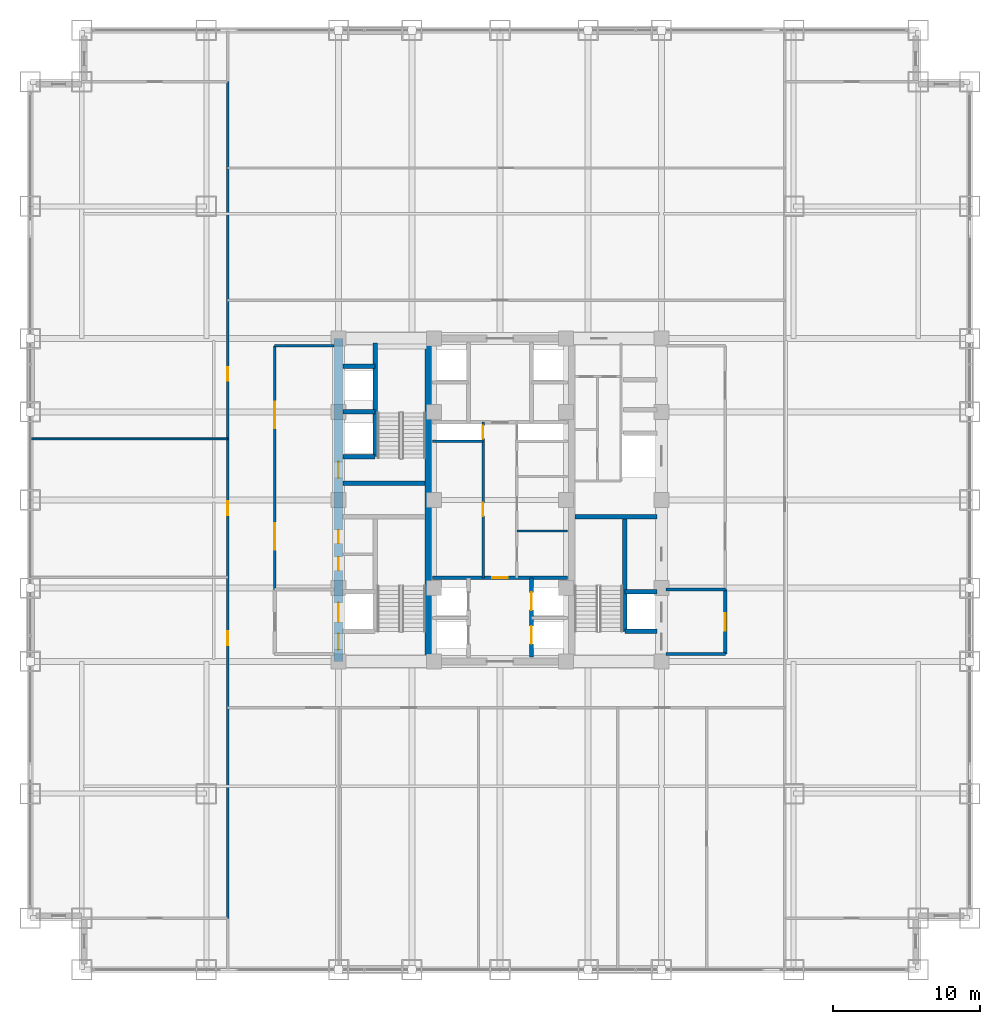
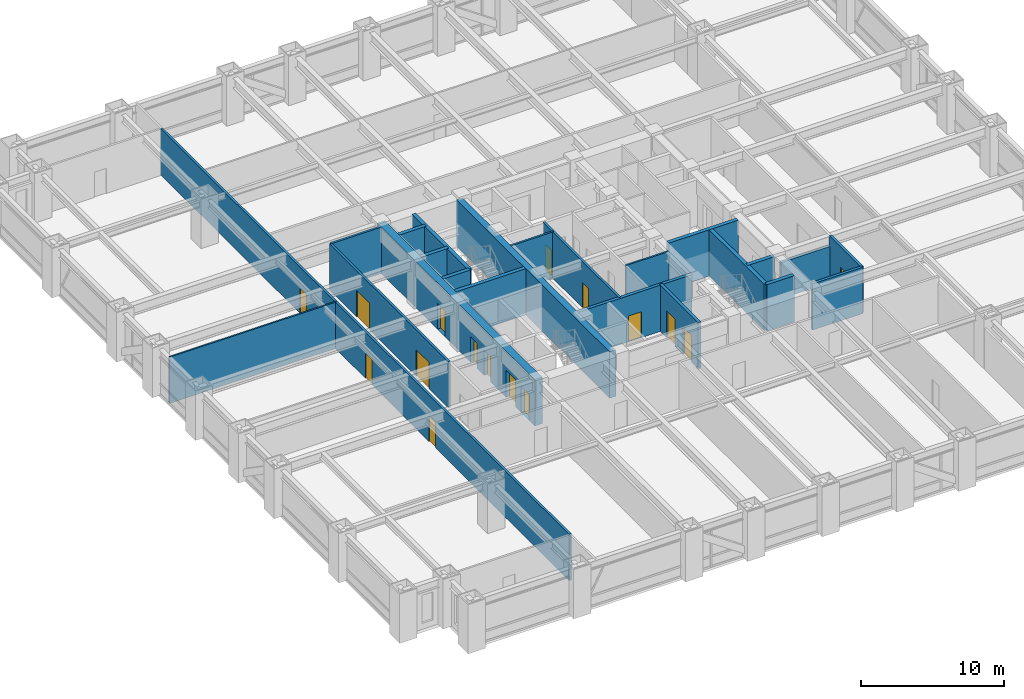
# One storey, part 24 of 27: 23 walls, 16 doors, 16 openings.
"""IFC4 building model written with IfcOpenShell, lengths in metres."""

from ifc_helpers import new_model, si_unit, direction, frame, frame_2d, origin, place, context, subcontext, project, spatial, rectangle, extrude, source, transform, mapped, material, layer, layer_set, type_object, element, fill, save


model = new_model("IFC4")

# Units and contexts
model_context = context("Model", 3, precision=1e-05, world=origin(), true_north=direction((0.0, 1.0)))
body_context = subcontext(model_context, "Body", "Model", "MODEL_VIEW")
ifc_project = project(units=[si_unit("LENGTHUNIT", "METRE"), si_unit("AREAUNIT", "SQUARE_METRE"), si_unit("VOLUMEUNIT", "CUBIC_METRE"), si_unit("PLANEANGLEUNIT", "RADIAN"), si_unit("MASSUNIT", "GRAM", prefix="KILO")], contexts=[model_context])

# Site, building, storey
site_placement = place(None, origin())
site = spatial("IfcSite", under=ifc_project, at=site_placement, CompositionType="ELEMENT")
building_placement = place(site_placement, origin())
building = spatial("IfcBuilding", under=site, at=building_placement, Name="Khorayat Bourse Tower", CompositionType="ELEMENT")
storey_placement = place(building_placement, frame((0.0, 0.0, 53.60009765625)))
storey = spatial("IfcBuildingStorey", under=building, at=storey_placement, Name="L11", CompositionType="ELEMENT", Elevation=53.60009765625)

# Wall, openings, doors
ifc_material_1 = material(Name="Concrete C60/75", Category="concrete")
ifc_layer_1 = layer(ifc_material_1, 0.60009765625)
ifc_layer_set_1 = layer_set([ifc_layer_1], Name="Concrete C60/75")
wall_type_1 = type_object("IfcWallType", Name="WAL-CORE-600", PredefinedType="SHEAR", material=ifc_layer_set_1)
shared_shape_1 = source(origin(), body_context, "Body", "SweptSolid", [
    extrude(rectangle(XDim=22.0, YDim=0.60009765625, at=frame_2d((11.0, 0.0))), origin(), (0.0, 0.0, 1.0), 3.93994140625),
])
wall_1_placement = place(storey_placement, frame((-11.0, -11.0, 0.0), z_axis=(0.0, 0.0, 1.0), x_axis=(0.0, 1.0, 0.0)))
wall_1 = element("IfcWall", 1, at=wall_1_placement, inside=storey, type_object=wall_type_1, Name="L11 Core Shear Wall CORE-W", PredefinedType="SHEAR", context=body_context, shape_type="MappedRepresentation", body=[
    mapped(shared_shape_1, transform((0.0, 0.0, 0.0), scale=1.0)),
])
shared_shape_2 = source(origin(), body_context, "Body", "SweptSolid", [
    extrude(rectangle(XDim=1.10009765625, YDim=2.199951171875, at=frame_2d((0.550048828125, 1.10009765625))), frame((0.0, 0.31005859375, 0.0), z_axis=(0.0, -1.0, 0.0), x_axis=(1.0, 0.0, 0.0)), (0.0, 0.0, 1.0), 0.6201171875),
])
opening_1_placement = place(wall_1_placement, frame((0.800048828125, 0.0, 0.0)))
opening_1 = element("IfcOpeningElement", 2, at=opening_1_placement, cuts=wall_1, Name="Opening DI-01", PredefinedType="OPENING", context=body_context, shape_type="MappedRepresentation", body=[
    mapped(shared_shape_2, transform((0.0, 0.0, 0.0), scale=1.0)),
])
opening_2_placement = place(wall_1_placement, frame((12.5, 0.0, 0.0)))
opening_2 = element("IfcOpeningElement", 3, at=opening_2_placement, cuts=wall_1, Name="Opening DI-01", PredefinedType="OPENING", context=body_context, shape_type="MappedRepresentation", body=[
    mapped(shared_shape_2, transform((0.0, 0.0, 0.0), scale=1.0)),
])
shared_shape_3 = source(origin(), body_context, "Body", "SweptSolid", [
    extrude(rectangle(XDim=0.89990234375, YDim=2.14990234375, at=frame_2d((0.449951171875, 1.074951171875))), frame((0.0, 0.31005859375, 0.0), z_axis=(0.0, -1.0, 0.0), x_axis=(1.0, 0.0, 0.0)), (0.0, 0.0, 1.0), 0.6201171875),
])
opening_3_placement = place(wall_1_placement, frame((6.199951171875, 0.0, 0.0)))
opening_3 = element("IfcOpeningElement", 4, at=opening_3_placement, cuts=wall_1, Name="Opening DI-06", PredefinedType="OPENING", context=body_context, shape_type="MappedRepresentation", body=[
    mapped(shared_shape_3, transform((0.0, 0.0, 0.0), scale=1.0)),
])
opening_4_placement = place(wall_1_placement, frame((8.050048828125, 0.0, 0.0)))
opening_4 = element("IfcOpeningElement", 5, at=opening_4_placement, cuts=wall_1, Name="Opening DI-06", PredefinedType="OPENING", context=body_context, shape_type="MappedRepresentation", body=[
    mapped(shared_shape_3, transform((0.0, 0.0, 0.0), scale=1.0)),
])
shared_shape_4 = source(origin(), body_context, "Body", "SweptSolid", [
    extrude(rectangle(XDim=1.300048828125, YDim=2.300048828125, at=frame_2d((0.64990234375, 1.14990234375))), frame((0.0, 0.31005859375, 0.0), z_axis=(0.0, -1.0, 0.0), x_axis=(1.0, 0.0, 0.0)), (0.0, 0.0, 1.0), 0.6201171875),
])
opening_5_placement = place(wall_1_placement, frame((2.699951171875, 0.0, 0.0)))
opening_5 = element("IfcOpeningElement", 6, at=opening_5_placement, cuts=wall_1, Name="Opening LD-02", PredefinedType="OPENING", context=body_context, shape_type="MappedRepresentation", body=[
    mapped(shared_shape_4, transform((0.0, 0.0, 0.0), scale=1.0)),
])
ifc_material_2 = material(Name="Fire-rated steel acoustic leaf", Category="steel")
door_type_1 = type_object("IfcDoorType", Name="DR-INT-STAIR-1100", OperationType="NOTDEFINED", PredefinedType="DOOR", material=ifc_material_2)
shared_shape_5 = source(origin(), body_context, "Body", "SweptSolid", [
    extrude(rectangle(XDim=1.10009765625, YDim=2.199951171875, at=frame_2d((0.550048828125, 1.10009765625))), frame((0.0, 0.02490234375, 0.0), z_axis=(0.0, -1.0, 0.0), x_axis=(1.0, 0.0, 0.0)), (0.0, 0.0, 1.0), 0.050048828125),
])
door_1_placement = place(opening_1_placement, origin())
door_1 = element("IfcDoor", 7, at=door_1_placement, inside=storey, type_object=door_type_1, Name="L11 Exit Stair 1 Door", OperationType="SINGLE_SWING_RIGHT", OverallHeight=2.199951171875, OverallWidth=1.10009765625, PredefinedType="DOOR", context=body_context, shape_type="MappedRepresentation", body=[
    mapped(shared_shape_5, transform((0.0, 0.0, 0.0), scale=1.0)),
])
fill(opening_1, door_1)
door_2_placement = place(opening_2_placement, origin())
door_2 = element("IfcDoor", 8, at=door_2_placement, inside=storey, type_object=door_type_1, Name="L11 Exit Stair 2 Door", OperationType="SINGLE_SWING_RIGHT", OverallHeight=2.199951171875, OverallWidth=1.10009765625, PredefinedType="DOOR", context=body_context, shape_type="MappedRepresentation", body=[
    mapped(shared_shape_5, transform((0.0, 0.0, 0.0), scale=1.0)),
])
fill(opening_2, door_2)
ifc_material_3 = material(Name="Moisture-resistant laminate washroom door")
door_type_2 = type_object("IfcDoorType", Name="DR-INT-WC-900", OperationType="NOTDEFINED", PredefinedType="DOOR", material=ifc_material_3)
shared_shape_6 = source(origin(), body_context, "Body", "SweptSolid", [
    extrude(rectangle(XDim=0.89990234375, YDim=2.14990234375, at=frame_2d((0.449951171875, 1.074951171875))), frame((0.0, 0.02490234375, 0.0), z_axis=(0.0, -1.0, 0.0), x_axis=(1.0, 0.0, 0.0)), (0.0, 0.0, 1.0), 0.050048828125),
])
door_3_placement = place(opening_3_placement, origin())
door_3 = element("IfcDoor", 9, at=door_3_placement, inside=storey, type_object=door_type_2, Name="L11 Electrical Plant Room Door", OperationType="SINGLE_SWING_RIGHT", OverallHeight=2.14990234375, OverallWidth=0.89990234375, PredefinedType="DOOR", context=body_context, shape_type="MappedRepresentation", body=[
    mapped(shared_shape_6, transform((0.0, 0.0, 0.0), scale=1.0)),
])
fill(opening_3, door_3)
door_4_placement = place(opening_4_placement, origin())
door_4 = element("IfcDoor", 10, at=door_4_placement, inside=storey, type_object=door_type_2, Name="L11 Cleaner Storage Room Door", OperationType="SINGLE_SWING_LEFT", OverallHeight=2.14990234375, OverallWidth=0.89990234375, PredefinedType="DOOR", context=body_context, shape_type="MappedRepresentation", body=[
    mapped(shared_shape_6, transform((0.0, 0.0, 0.0), scale=1.0)),
])
fill(opening_4, door_4)
ifc_material_4 = material(Name="Fire-rated stainless-steel sliding landing door", Category="steel")
door_type_3 = type_object("IfcDoorType", Name="DR-LIFT-FF-1300", OperationType="NOTDEFINED", PredefinedType="DOOR", material=ifc_material_4)
shared_shape_7 = source(origin(), body_context, "Body", "SweptSolid", [
    extrude(rectangle(XDim=1.300048828125, YDim=2.300048828125, at=frame_2d((0.64990234375, 1.14990234375))), frame((0.0, 0.02490234375, 0.0), z_axis=(0.0, -1.0, 0.0), x_axis=(1.0, 0.0, 0.0)), (0.0, 0.0, 1.0), 0.050048828125),
])
door_5_placement = place(opening_5_placement, origin())
door_5 = element("IfcDoor", 11, at=door_5_placement, inside=storey, type_object=door_type_3, Name="L11 Lift FFL-01 Sliding Landing Door", OperationType="SLIDING_TO_LEFT", OverallHeight=2.300048828125, OverallWidth=1.300048828125, PredefinedType="DOOR", context=body_context, shape_type="MappedRepresentation", body=[
    mapped(shared_shape_7, transform((0.0, 0.0, 0.0), scale=1.0)),
])
fill(opening_5, door_5)

# Walls
ifc_material_5 = material(Name="Concrete C52/65", Category="concrete")
ifc_layer_2 = layer(ifc_material_5, 0.5)
ifc_layer_set_2 = layer_set([ifc_layer_2], Name="Concrete C52/65")
wall_type_2 = type_object("IfcWallType", Name="WAL-CORE-500", PredefinedType="SHEAR", material=ifc_layer_set_2)
shared_shape_8 = source(origin(), body_context, "Body", "SweptSolid", [
    extrude(rectangle(XDim=21.39990234375, YDim=0.5, at=frame_2d((10.699951171875, 0.0))), origin(), (0.0, 0.0, 1.0), 3.93994140625),
])
wall_2_placement = place(storey_placement, frame((-4.85009765625, -10.699951171875, 0.0), z_axis=(0.0, 0.0, 1.0), x_axis=(0.0, 1.0, 0.0)))
element("IfcWall", 12, at=wall_2_placement, inside=storey, type_object=wall_type_2, Name="L11 Core Shear Wall PIER-W", PredefinedType="SHEAR", context=body_context, shape_type="MappedRepresentation", body=[
    mapped(shared_shape_8, transform((0.0, 0.0, 0.0), scale=1.0)),
])
ifc_material_6 = material(Name="Concrete C50/60", Category="concrete")
ifc_layer_3 = layer(ifc_material_6, 0.300048828125)
ifc_layer_set_3 = layer_set([ifc_layer_3], Name="Concrete C50/60")
wall_type_3 = type_object("IfcWallType", Name="WAL-SHAFT-300", PredefinedType="SHEAR", material=ifc_layer_set_3)
shared_shape_9 = source(origin(), body_context, "Body", "SweptSolid", [
    extrude(rectangle(XDim=5.599853515625, YDim=0.300048828125, at=frame_2d((2.7998046875, 0.0))), origin(), (0.0, 0.0, 1.0), 3.93994140625),
])
for number, where, z_axis, x_axis, name in (
    (13, (-10.699951171875, 1.14990234375, 0.0), (0.0, 0.0, 1.0), (1.0, 0.0, 0.0), "L11 Core Shear Wall ST2-DIV"),
    (14, (5.10009765625, -1.14990234375, 0.0), (0.0, 0.0, 1.0), (1.0, 0.0, 0.0), "L11 Core Shear Wall ST3-DIV"),
):
    element("IfcWall", number, at=place(storey_placement, frame(where, z_axis=z_axis, x_axis=x_axis)), inside=storey, type_object=wall_type_3, Name=name, PredefinedType="SHEAR", context=body_context, shape_type="MappedRepresentation", body=[
        mapped(shared_shape_9, transform((0.0, 0.0, 0.0), scale=1.0)),
    ])
shared_shape_10 = source(origin(), body_context, "Body", "SweptSolid", [
    extrude(rectangle(XDim=7.800048828125, YDim=0.300048828125, at=frame_2d((3.89990234375, 0.0))), origin(), (0.0, 0.0, 1.0), 3.93994140625),
])
wall_3_placement = place(storey_placement, frame((8.5, -8.949951171875, 0.0), z_axis=(0.0, 0.0, 1.0), x_axis=(0.0, 1.0, 0.0)))
element("IfcWall", 15, at=wall_3_placement, inside=storey, type_object=wall_type_3, Name="L11 Partition WAL-L11-EPIER-SP", PredefinedType="SHEAR", context=body_context, shape_type="MappedRepresentation", body=[
    mapped(shared_shape_10, transform((0.0, 0.0, 0.0), scale=1.0)),
])
shared_shape_11 = source(origin(), body_context, "Body", "SweptSolid", [
    extrude(rectangle(XDim=2.199951171875, YDim=0.300048828125, at=frame_2d((1.10009765625, 0.0))), origin(), (0.0, 0.0, 1.0), 3.93994140625),
])
for number, where, z_axis, x_axis, name in (
    (16, (-10.699951171875, 2.949951171875, 0.0), (0.0, 0.0, 1.0), (1.0, 0.0, 0.0), "L11 Partition WAL-L11-WPIER-H1S"),
    (17, (-10.699951171875, 6.0, 0.0), (0.0, 0.0, 1.0), (1.0, 0.0, 0.0), "L11 Partition WAL-L11-WPIER-H12"),
    (18, (-10.699951171875, 9.10009765625, 0.0), (0.0, 0.0, 1.0), (1.0, 0.0, 0.0), "L11 Partition WAL-L11-WPIER-H2N"),
    (19, (8.5, -8.949951171875, 0.0), (0.0, 0.0, 1.0), (1.0, 0.0, 0.0), "L11 Partition WAL-L11-EPIER-FF2S"),
    (20, (8.5, -6.25, 0.0), (0.0, 0.0, 1.0), (1.0, 0.0, 0.0), "L11 Partition WAL-L11-EPIER-FF2N"),
):
    element("IfcWall", number, at=place(storey_placement, frame(where, z_axis=z_axis, x_axis=x_axis)), inside=storey, type_object=wall_type_3, Name=name, PredefinedType="SHEAR", context=body_context, shape_type="MappedRepresentation", body=[
        mapped(shared_shape_11, transform((0.0, 0.0, 0.0), scale=1.0)),
    ])
shared_shape_12 = source(origin(), body_context, "Body", "SweptSolid", [
    extrude(rectangle(XDim=7.75, YDim=0.300048828125, at=frame_2d((3.875, 0.0))), origin(), (0.0, 0.0, 1.0), 3.93994140625),
])
wall_4_placement = place(storey_placement, frame((-8.5, 2.949951171875, 0.0), z_axis=(0.0, 0.0, 1.0), x_axis=(0.0, 1.0, 0.0)))
element("IfcWall", 21, at=wall_4_placement, inside=storey, type_object=wall_type_3, Name="L11 Partition WAL-L11-WPIER-ST2S", PredefinedType="SHEAR", context=body_context, shape_type="MappedRepresentation", body=[
    mapped(shared_shape_12, transform((0.0, 0.0, 0.0), scale=1.0)),
])
ifc_material_7 = material(Name="Aerated concrete blockwork", Category="masonry")
ifc_layer_4 = layer(ifc_material_7, 0.219970703125)
ifc_layer_set_4 = layer_set([ifc_layer_4], Name="Aerated concrete blockwork")
wall_type_4 = type_object("IfcWallType", Name="WAL-PART-FF-220", PredefinedType="PARTITIONING", material=ifc_layer_set_4)
shared_shape_13 = source(origin(), body_context, "Body", "SweptSolid", [
    extrude(rectangle(XDim=4.050048828125, YDim=0.219970703125, at=frame_2d((2.02490234375, 0.0))), origin(), (0.0, 0.0, 1.0), 3.93994140625),
])
wall_5_placement = place(storey_placement, frame((11.300048828125, -10.5, 0.0), z_axis=(0.0, 0.0, 1.0), x_axis=(1.0, 0.0, 0.0)))
element("IfcWall", 22, at=wall_5_placement, inside=storey, type_object=wall_type_4, Name="L11 Partition WAL-L11-FFLE-S", PredefinedType="PARTITIONING", context=body_context, shape_type="MappedRepresentation", body=[
    mapped(shared_shape_13, transform((0.0, 0.0, 0.0), scale=1.0)),
])
shared_shape_14 = source(origin(), body_context, "Body", "SweptSolid", [
    extrude(rectangle(XDim=4.050048828125, YDim=0.219970703125, at=frame_2d((2.02490234375, 0.0))), origin(), (0.0, 0.0, 1.0), 3.0849609375),
])
wall_6_placement = place(storey_placement, frame((11.300048828125, -6.10009765625, 0.0), z_axis=(0.0, 0.0, 1.0), x_axis=(1.0, 0.0, 0.0)))
element("IfcWall", 23, at=wall_6_placement, inside=storey, type_object=wall_type_4, Name="L11 Partition WAL-L11-FFLE-N", PredefinedType="PARTITIONING", context=body_context, shape_type="MappedRepresentation", body=[
    mapped(shared_shape_14, transform((0.0, 0.0, 0.0), scale=1.0)),
])

# Wall, opening, door
shared_shape_15 = source(origin(), body_context, "Body", "SweptSolid", [
    extrude(rectangle(XDim=4.39990234375, YDim=0.219970703125, at=frame_2d((2.199951171875, 0.0))), origin(), (0.0, 0.0, 1.0), 3.93994140625),
])
wall_7_placement = place(storey_placement, frame((15.35009765625, -10.5, 0.0), z_axis=(0.0, 0.0, 1.0), x_axis=(0.0, 1.0, 0.0)))
wall_7 = element("IfcWall", 24, at=wall_7_placement, inside=storey, type_object=wall_type_4, Name="L11 Partition WAL-L11-FFLE-E", PredefinedType="PARTITIONING", context=body_context, shape_type="MappedRepresentation", body=[
    mapped(shared_shape_15, transform((0.0, 0.0, 0.0), scale=1.0)),
])
shared_shape_16 = source(origin(), body_context, "Body", "SweptSolid", [
    extrude(rectangle(XDim=1.199951171875, YDim=2.199951171875, at=frame_2d((0.60009765625, 1.10009765625))), frame((0.0, 0.119873046875, 0.0), z_axis=(0.0, -1.0, 0.0), x_axis=(1.0, 0.0, 0.0)), (0.0, 0.0, 1.0), 0.239990234375),
])
opening_6_placement = place(wall_7_placement, frame((1.60009765625, 0.0, 0.0)))
opening_6 = element("IfcOpeningElement", 25, at=opening_6_placement, cuts=wall_7, Name="Opening DI-02", PredefinedType="OPENING", context=body_context, shape_type="MappedRepresentation", body=[
    mapped(shared_shape_16, transform((0.0, 0.0, 0.0), scale=1.0)),
])
ifc_material_8 = material(Name="Fire-rated steel double-seal leaf", Category="steel")
door_type_4 = type_object("IfcDoorType", Name="DR-INT-FFLOBBY-1200", OperationType="NOTDEFINED", PredefinedType="DOOR", material=ifc_material_8)
shared_shape_17 = source(origin(), body_context, "Body", "SweptSolid", [
    extrude(rectangle(XDim=1.199951171875, YDim=2.199951171875, at=frame_2d((0.60009765625, 1.10009765625))), frame((0.0, 0.02490234375, 0.0), z_axis=(0.0, -1.0, 0.0), x_axis=(1.0, 0.0, 0.0)), (0.0, 0.0, 1.0), 0.050048828125),
])
door_6_placement = place(opening_6_placement, origin())
door_6 = element("IfcDoor", 26, at=door_6_placement, inside=storey, type_object=door_type_4, Name="L11 East Firefighting Lobby Door", OperationType="SINGLE_SWING_RIGHT", OverallHeight=2.199951171875, OverallWidth=1.199951171875, PredefinedType="DOOR", context=body_context, shape_type="MappedRepresentation", body=[
    mapped(shared_shape_17, transform((0.0, 0.0, 0.0), scale=1.0)),
])
fill(opening_6, door_6)

# Wall
ifc_material_9 = material(Name="Gypsum plasterboard acoustic stud wall")
ifc_layer_5 = layer(ifc_material_9, 0.179931640625)
ifc_layer_set_5 = layer_set([ifc_layer_5], Name="Gypsum plasterboard acoustic stud wall")
wall_type_5 = type_object("IfcWallType", Name="WAL-PART-CORR-180", PredefinedType="PARTITIONING", material=ifc_layer_set_5)
shared_shape_18 = source(origin(), body_context, "Body", "SweptSolid", [
    extrude(rectangle(XDim=4.050048828125, YDim=0.179931640625, at=frame_2d((2.02490234375, 0.0))), origin(), (0.0, 0.0, 1.0), 3.93994140625),
])
wall_8_placement = place(storey_placement, frame((-15.35009765625, 10.5, 0.0), z_axis=(0.0, 0.0, 1.0), x_axis=(1.0, 0.0, 0.0)))
element("IfcWall", 27, at=wall_8_placement, inside=storey, type_object=wall_type_5, Name="L11 Partition WAL-L11-WLOB-N", PredefinedType="PARTITIONING", context=body_context, shape_type="MappedRepresentation", body=[
    mapped(shared_shape_18, transform((0.0, 0.0, 0.0), scale=1.0)),
])

# Wall, openings, doors
shared_shape_19 = source(origin(), body_context, "Body", "SweptSolid", [
    extrude(rectangle(XDim=16.60009765625, YDim=0.179931640625, at=frame_2d((8.300048828125, 0.0))), origin(), (0.0, 0.0, 1.0), 3.93994140625),
])
wall_9_placement = place(storey_placement, frame((-15.35009765625, -6.10009765625, 0.0), z_axis=(0.0, 0.0, 1.0), x_axis=(0.0, 1.0, 0.0)))
wall_9 = element("IfcWall", 28, at=wall_9_placement, inside=storey, type_object=wall_type_5, Name="L11 Partition WAL-L11-WLOB-W", PredefinedType="PARTITIONING", context=body_context, shape_type="MappedRepresentation", body=[
    mapped(shared_shape_19, transform((0.0, 0.0, 0.0), scale=1.0)),
])
shared_shape_20 = source(origin(), body_context, "Body", "SweptSolid", [
    extrude(rectangle(XDim=1.800048828125, YDim=2.25, at=frame_2d((0.89990234375, 1.125))), frame((0.0, 0.099853515625, 0.0), z_axis=(0.0, -1.0, 0.0), x_axis=(1.0, 0.0, 0.0)), (0.0, 0.0, 1.0), 0.199951171875),
])
opening_7_placement = place(wall_9_placement, frame((2.699951171875, 0.0, 0.0)))
opening_7 = element("IfcOpeningElement", 29, at=opening_7_placement, cuts=wall_9, Name="Opening DI-03", PredefinedType="OPENING", context=body_context, shape_type="MappedRepresentation", body=[
    mapped(shared_shape_20, transform((0.0, 0.0, 0.0), scale=1.0)),
])
opening_8_placement = place(wall_9_placement, frame((11.0, 0.0, 0.0)))
opening_8 = element("IfcOpeningElement", 30, at=opening_8_placement, cuts=wall_9, Name="Opening DI-03", PredefinedType="OPENING", context=body_context, shape_type="MappedRepresentation", body=[
    mapped(shared_shape_20, transform((0.0, 0.0, 0.0), scale=1.0)),
])
ifc_material_10 = material(Name="Fire-rated hardwood vision-panel double leaf", Category="wood")
door_type_5 = type_object("IfcDoorType", Name="DR-INT-CORR-1800", OperationType="NOTDEFINED", PredefinedType="DOOR", material=ifc_material_10)
shared_shape_21 = source(origin(), body_context, "Body", "SweptSolid", [
    extrude(rectangle(XDim=1.800048828125, YDim=2.25, at=frame_2d((0.89990234375, 1.125))), frame((0.0, 0.02490234375, 0.0), z_axis=(0.0, -1.0, 0.0), x_axis=(1.0, 0.0, 0.0)), (0.0, 0.0, 1.0), 0.050048828125),
])
door_7_placement = place(opening_7_placement, origin())
door_7 = element("IfcDoor", 31, at=door_7_placement, inside=storey, type_object=door_type_5, Name="L11 West Core Lobby South Door", OperationType="SINGLE_SWING_LEFT", OverallHeight=2.25, OverallWidth=1.800048828125, PredefinedType="DOOR", context=body_context, shape_type="MappedRepresentation", body=[
    mapped(shared_shape_21, transform((0.0, 0.0, 0.0), scale=1.0)),
])
fill(opening_7, door_7)
door_8_placement = place(opening_8_placement, origin())
door_8 = element("IfcDoor", 32, at=door_8_placement, inside=storey, type_object=door_type_5, Name="L11 West Core Lobby North Door", OperationType="SINGLE_SWING_RIGHT", OverallHeight=2.25, OverallWidth=1.800048828125, PredefinedType="DOOR", context=body_context, shape_type="MappedRepresentation", body=[
    mapped(shared_shape_21, transform((0.0, 0.0, 0.0), scale=1.0)),
])
fill(opening_8, door_8)

# Wall
ifc_material_11 = material(Name="Gypsum plasterboard twin-frame partition")
ifc_layer_6 = layer(ifc_material_11, 0.14990234375)
ifc_layer_set_6 = layer_set([ifc_layer_6], Name="Gypsum plasterboard twin-frame partition")
wall_type_6 = type_object("IfcWallType", Name="WAL-PART-SUITE-150", PredefinedType="PARTITIONING", material=ifc_layer_set_6)
shared_shape_22 = source(origin(), body_context, "Body", "SweptSolid", [
    extrude(rectangle(XDim=3.4501953125, YDim=0.14990234375, at=frame_2d((1.72509765625, 0.0))), origin(), (0.0, 0.0, 1.0), 3.93994140625),
])
wall_10_placement = place(storey_placement, frame((-4.60009765625, 4.0, 0.0), z_axis=(0.0, 0.0, 1.0), x_axis=(1.0, 0.0, 0.0)))
element("IfcWall", 33, at=wall_10_placement, inside=storey, type_object=wall_type_6, Name="L11 Partition WAL-L11-CRSW-S", PredefinedType="PARTITIONING", context=body_context, shape_type="MappedRepresentation", body=[
    mapped(shared_shape_22, transform((0.0, 0.0, 0.0), scale=1.0)),
])

# Wall, openings, doors
shared_shape_23 = source(origin(), body_context, "Body", "SweptSolid", [
    extrude(rectangle(XDim=5.39990234375, YDim=0.25, at=frame_2d((2.699951171875, 0.0))), origin(), (0.0, 0.0, 1.0), 3.93994140625),
])
wall_11_placement = place(storey_placement, frame((2.14990234375, -10.699951171875, 0.0), z_axis=(0.0, 0.0, 1.0), x_axis=(0.0, 1.0, 0.0)))
wall_11 = element("IfcWall", 34, at=wall_11_placement, inside=storey, type_object=wall_type_3, Name="L11 Partition WAL-L11-B1-E", PredefinedType="SHEAR", context=body_context, shape_type="MappedRepresentation", body=[
    mapped(shared_shape_23, transform((0.0, 0.0, 0.0), scale=1.0)),
])
shared_shape_24 = source(origin(), body_context, "Body", "SweptSolid", [
    extrude(rectangle(XDim=1.199951171875, YDim=2.300048828125, at=frame_2d((0.60009765625, 1.14990234375))), frame((0.0, 0.135009765625, 0.0), z_axis=(0.0, -1.0, 0.0), x_axis=(1.0, 0.0, 0.0)), (0.0, 0.0, 1.0), 0.27001953125),
])
opening_9_placement = place(wall_11_placement, frame((0.89990234375, 0.0, 0.0)))
opening_9 = element("IfcOpeningElement", 35, at=opening_9_placement, cuts=wall_11, Name="Opening LD-01", PredefinedType="OPENING", context=body_context, shape_type="MappedRepresentation", body=[
    mapped(shared_shape_24, transform((0.0, 0.0, 0.0), scale=1.0)),
])
opening_10_placement = place(wall_11_placement, frame((3.199951171875, 0.0, 0.0)))
opening_10 = element("IfcOpeningElement", 36, at=opening_10_placement, cuts=wall_11, Name="Opening LD-01", PredefinedType="OPENING", context=body_context, shape_type="MappedRepresentation", body=[
    mapped(shared_shape_24, transform((0.0, 0.0, 0.0), scale=1.0)),
])
ifc_material_12 = material(Name="Brushed bronze stainless-steel sliding door", Category="steel")
door_type_6 = type_object("IfcDoorType", Name="DR-LIFT-PASS-1200", OperationType="NOTDEFINED", PredefinedType="DOOR", material=ifc_material_12)
shared_shape_25 = source(origin(), body_context, "Body", "SweptSolid", [
    extrude(rectangle(XDim=1.199951171875, YDim=2.300048828125, at=frame_2d((0.60009765625, 1.14990234375))), frame((0.0, 0.02490234375, 0.0), z_axis=(0.0, -1.0, 0.0), x_axis=(1.0, 0.0, 0.0)), (0.0, 0.0, 1.0), 0.050048828125),
])
door_9_placement = place(opening_9_placement, origin())
door_9 = element("IfcDoor", 37, at=door_9_placement, inside=storey, type_object=door_type_6, Name="L11 Lift PL-L2 Sliding Landing Door", OperationType="SLIDING_TO_LEFT", OverallHeight=2.300048828125, OverallWidth=1.199951171875, PredefinedType="DOOR", context=body_context, shape_type="MappedRepresentation", body=[
    mapped(shared_shape_25, transform((0.0, 0.0, 0.0), scale=1.0)),
])
fill(opening_9, door_9)
door_10_placement = place(opening_10_placement, origin())
door_10 = element("IfcDoor", 38, at=door_10_placement, inside=storey, type_object=door_type_6, Name="L11 Lift PL-L4 Sliding Landing Door", OperationType="SLIDING_TO_LEFT", OverallHeight=2.300048828125, OverallWidth=1.199951171875, PredefinedType="DOOR", context=body_context, shape_type="MappedRepresentation", body=[
    mapped(shared_shape_25, transform((0.0, 0.0, 0.0), scale=1.0)),
])
fill(opening_10, door_10)

# Wall, opening, door
shared_shape_26 = source(origin(), body_context, "Body", "SweptSolid", [
    extrude(rectangle(XDim=9.2001953125, YDim=0.25, at=frame_2d((4.60009765625, 0.0))), origin(), (0.0, 0.0, 1.0), 3.93994140625),
])
wall_12_placement = place(storey_placement, frame((-4.60009765625, -5.300048828125, 0.0), z_axis=(0.0, 0.0, 1.0), x_axis=(1.0, 0.0, 0.0)))
wall_12 = element("IfcWall", 39, at=wall_12_placement, inside=storey, type_object=wall_type_3, Name="L11 Partition WAL-L11-B1-N", PredefinedType="SHEAR", context=body_context, shape_type="MappedRepresentation", body=[
    mapped(shared_shape_26, transform((0.0, 0.0, 0.0), scale=1.0)),
])
shared_shape_27 = source(origin(), body_context, "Body", "SweptSolid", [
    extrude(rectangle(XDim=1.050048828125, YDim=2.199951171875, at=frame_2d((0.52490234375, 1.10009765625))), frame((0.0, 0.135009765625, 0.0), z_axis=(0.0, -1.0, 0.0), x_axis=(1.0, 0.0, 0.0)), (0.0, 0.0, 1.0), 0.27001953125),
])
opening_11_placement = place(wall_12_placement, frame((4.074951171875, 0.0, 0.0)))
opening_11 = element("IfcOpeningElement", 40, at=opening_11_placement, cuts=wall_12, Name="Opening DI-04", PredefinedType="OPENING", context=body_context, shape_type="MappedRepresentation", body=[
    mapped(shared_shape_27, transform((0.0, 0.0, 0.0), scale=1.0)),
])
ifc_material_13 = material(Name="Fire-rated oak veneer suite entrance door")
door_type_7 = type_object("IfcDoorType", Name="DR-INT-SUITE-1050", OperationType="NOTDEFINED", PredefinedType="DOOR", material=ifc_material_13)
shared_shape_28 = source(origin(), body_context, "Body", "SweptSolid", [
    extrude(rectangle(XDim=1.050048828125, YDim=2.199951171875, at=frame_2d((0.52490234375, 1.10009765625))), frame((0.0, 0.02490234375, 0.0), z_axis=(0.0, -1.0, 0.0), x_axis=(1.0, 0.0, 0.0)), (0.0, 0.0, 1.0), 0.050048828125),
])
door_11_placement = place(opening_11_placement, origin())
door_11 = element("IfcDoor", 41, at=door_11_placement, inside=storey, type_object=door_type_7, Name="L11 Core Spine South Door", OperationType="SINGLE_SWING_LEFT", OverallHeight=2.199951171875, OverallWidth=1.050048828125, PredefinedType="DOOR", context=body_context, shape_type="MappedRepresentation", body=[
    mapped(shared_shape_28, transform((0.0, 0.0, 0.0), scale=1.0)),
])
fill(opening_11, door_11)

# Wall
ifc_material_14 = material(Name="Moisture-resistant masonry partition", Category="masonry")
ifc_layer_7 = layer(ifc_material_14, 0.139892578125)
ifc_layer_set_7 = layer_set([ifc_layer_7], Name="Moisture-resistant masonry partition")
wall_type_7 = type_object("IfcWallType", Name="WAL-PART-WET-140", PredefinedType="PARTITIONING", material=ifc_layer_set_7)
shared_shape_29 = source(origin(), body_context, "Body", "SweptSolid", [
    extrude(rectangle(XDim=3.4501953125, YDim=0.139892578125, at=frame_2d((1.72509765625, 0.0))), origin(), (0.0, 0.0, 1.0), 3.93994140625),
])
wall_13_placement = place(storey_placement, frame((1.14990234375, -2.10009765625, 0.0), z_axis=(0.0, 0.0, 1.0), x_axis=(1.0, 0.0, 0.0)))
element("IfcWall", 42, at=wall_13_placement, inside=storey, type_object=wall_type_7, Name="L11 Partition WAL-L11-CME-D1", PredefinedType="PARTITIONING", context=body_context, shape_type="MappedRepresentation", body=[
    mapped(shared_shape_29, transform((0.0, 0.0, 0.0), scale=1.0)),
])

# Wall, openings, doors
shared_shape_30 = source(origin(), body_context, "Body", "SweptSolid", [
    extrude(rectangle(XDim=10.60009765625, YDim=0.179931640625, at=frame_2d((5.300048828125, 0.0))), origin(), (0.0, 0.0, 1.0), 3.93994140625),
])
wall_14_placement = place(storey_placement, frame((-1.14990234375, -5.300048828125, 0.0), z_axis=(0.0, 0.0, 1.0), x_axis=(0.0, 1.0, 0.0)))
wall_14 = element("IfcWall", 43, at=wall_14_placement, inside=storey, type_object=wall_type_5, Name="L11 Partition WAL-L11-CMW-L", PredefinedType="PARTITIONING", context=body_context, shape_type="MappedRepresentation", body=[
    mapped(shared_shape_30, transform((0.0, 0.0, 0.0), scale=1.0)),
])
shared_shape_31 = source(origin(), body_context, "Body", "SweptSolid", [
    extrude(rectangle(XDim=0.89990234375, YDim=2.14990234375, at=frame_2d((0.449951171875, 1.074951171875))), frame((0.0, 0.099853515625, 0.0), z_axis=(0.0, -1.0, 0.0), x_axis=(1.0, 0.0, 0.0)), (0.0, 0.0, 1.0), 0.199951171875),
])
opening_12_placement = place(wall_14_placement, frame((4.199951171875, 0.0, 0.0)))
opening_12 = element("IfcOpeningElement", 44, at=opening_12_placement, cuts=wall_14, Name="Opening DI-06", PredefinedType="OPENING", context=body_context, shape_type="MappedRepresentation", body=[
    mapped(shared_shape_31, transform((0.0, 0.0, 0.0), scale=1.0)),
])
opening_13_placement = place(wall_14_placement, frame((9.47509765625, 0.0, 0.0)))
opening_13 = element("IfcOpeningElement", 45, at=opening_13_placement, cuts=wall_14, Name="Opening DI-06", PredefinedType="OPENING", context=body_context, shape_type="MappedRepresentation", body=[
    mapped(shared_shape_31, transform((0.0, 0.0, 0.0), scale=1.0)),
])
door_12_placement = place(opening_12_placement, origin())
door_12 = element("IfcDoor", 46, at=door_12_placement, inside=storey, type_object=door_type_2, Name="L11 Male Core Washroom Door", OperationType="SINGLE_SWING_RIGHT", OverallHeight=2.14990234375, OverallWidth=0.89990234375, PredefinedType="DOOR", context=body_context, shape_type="MappedRepresentation", body=[
    mapped(shared_shape_6, transform((0.0, 0.0, 0.0), scale=1.0)),
])
fill(opening_12, door_12)
door_13_placement = place(opening_13_placement, origin())
door_13 = element("IfcDoor", 47, at=door_13_placement, inside=storey, type_object=door_type_2, Name="L11 West Core Riser Door", OperationType="SINGLE_SWING_LEFT", OverallHeight=2.14990234375, OverallWidth=0.89990234375, PredefinedType="DOOR", context=body_context, shape_type="MappedRepresentation", body=[
    mapped(shared_shape_6, transform((0.0, 0.0, 0.0), scale=1.0)),
])
fill(opening_13, door_13)

shared_shape_32 = source(origin(), body_context, "Body", "SweptSolid", [
    extrude(rectangle(XDim=57.0, YDim=0.179931640625, at=frame_2d((28.5, 0.0))), origin(), (0.0, 0.0, 1.0), 3.93994140625),
])
wall_15_placement = place(storey_placement, frame((-18.550048828125, -28.5, 0.0), z_axis=(0.0, 0.0, 1.0), x_axis=(0.0, 1.0, 0.0)))
wall_15 = element("IfcWall", 48, at=wall_15_placement, inside=storey, type_object=wall_type_5, Name="L11 Partition WAL-L11-WCORR", PredefinedType="PARTITIONING", context=body_context, shape_type="MappedRepresentation", body=[
    mapped(shared_shape_32, transform((0.0, 0.0, 0.0), scale=1.0)),
])
shared_shape_33 = source(origin(), body_context, "Body", "SweptSolid", [
    extrude(rectangle(XDim=0.949951171875, YDim=2.14990234375, at=frame_2d((0.47509765625, 1.074951171875))), frame((0.0, 0.099853515625, 0.0), z_axis=(0.0, -1.0, 0.0), x_axis=(1.0, 0.0, 0.0)), (0.0, 0.0, 1.0), 0.199951171875),
])
opening_14_placement = place(wall_15_placement, frame((18.614990234375, 0.0, 0.0)))
opening_14 = element("IfcOpeningElement", 49, at=opening_14_placement, cuts=wall_15, Name="Opening DI-05", PredefinedType="OPENING", context=body_context, shape_type="MappedRepresentation", body=[
    mapped(shared_shape_33, transform((0.0, 0.0, 0.0), scale=1.0)),
])
opening_15_placement = place(wall_15_placement, frame((27.472412109375, 0.0, 0.0)))
opening_15 = element("IfcOpeningElement", 50, at=opening_15_placement, cuts=wall_15, Name="Opening DI-05", PredefinedType="OPENING", context=body_context, shape_type="MappedRepresentation", body=[
    mapped(shared_shape_33, transform((0.0, 0.0, 0.0), scale=1.0)),
])
opening_16_placement = place(wall_15_placement, frame((36.607421875, 0.0, 0.0)))
opening_16 = element("IfcOpeningElement", 51, at=opening_16_placement, cuts=wall_15, Name="Opening DI-05", PredefinedType="OPENING", context=body_context, shape_type="MappedRepresentation", body=[
    mapped(shared_shape_33, transform((0.0, 0.0, 0.0), scale=1.0)),
])
ifc_material_15 = material(Name="Acoustic oak veneer office door")
door_type_8 = type_object("IfcDoorType", Name="DR-INT-OFFICE-950", OperationType="NOTDEFINED", PredefinedType="DOOR", material=ifc_material_15)
shared_shape_34 = source(origin(), body_context, "Body", "SweptSolid", [
    extrude(rectangle(XDim=0.949951171875, YDim=2.14990234375, at=frame_2d((0.47509765625, 1.074951171875))), frame((0.0, 0.02490234375, 0.0), z_axis=(0.0, -1.0, 0.0), x_axis=(1.0, 0.0, 0.0)), (0.0, 0.0, 1.0), 0.050048828125),
])
door_14_placement = place(opening_14_placement, origin())
door_14 = element("IfcDoor", 52, at=door_14_placement, inside=storey, type_object=door_type_8, Name="L11 Public Washrooms and Restrooms W1 Door", OperationType="SINGLE_SWING_RIGHT", OverallHeight=2.14990234375, OverallWidth=0.949951171875, PredefinedType="DOOR", context=body_context, shape_type="MappedRepresentation", body=[
    mapped(shared_shape_34, transform((0.0, 0.0, 0.0), scale=1.0)),
])
fill(opening_14, door_14)
door_15_placement = place(opening_15_placement, origin())
door_15 = element("IfcDoor", 53, at=door_15_placement, inside=storey, type_object=door_type_8, Name="L11 Market Reference Library W2 Door", OperationType="SINGLE_SWING_LEFT", OverallHeight=2.14990234375, OverallWidth=0.949951171875, PredefinedType="DOOR", context=body_context, shape_type="MappedRepresentation", body=[
    mapped(shared_shape_34, transform((0.0, 0.0, 0.0), scale=1.0)),
])
fill(opening_15, door_15)
door_16_placement = place(opening_16_placement, origin())
door_16 = element("IfcDoor", 54, at=door_16_placement, inside=storey, type_object=door_type_8, Name="L11 Clearing Records Archive Store W3 Door", OperationType="SINGLE_SWING_RIGHT", OverallHeight=2.14990234375, OverallWidth=0.949951171875, PredefinedType="DOOR", context=body_context, shape_type="MappedRepresentation", body=[
    mapped(shared_shape_34, transform((0.0, 0.0, 0.0), scale=1.0)),
])
fill(opening_16, door_16)

# Wall
ifc_material_16 = material(Name="Gypsum plasterboard partition")
ifc_layer_8 = layer(ifc_material_16, 0.125)
ifc_layer_set_8 = layer_set([ifc_layer_8], Name="Gypsum plasterboard partition")
wall_type_8 = type_object("IfcWallType", Name="WAL-PART-ROOM-125", PredefinedType="PARTITIONING", material=ifc_layer_set_8)
shared_shape_35 = source(origin(), body_context, "Body", "SweptSolid", [
    extrude(rectangle(XDim=13.449951171875, YDim=0.125, at=frame_2d((6.72509765625, 0.0))), origin(), (0.0, 0.0, 1.0), 3.93994140625),
])
wall_16_placement = place(storey_placement, frame((-32.0, 4.1650390625, 0.0), z_axis=(0.0, 0.0, 1.0), x_axis=(1.0, 0.0, 0.0)))
element("IfcWall", 55, at=wall_16_placement, inside=storey, type_object=wall_type_8, Name="L11 Partition WAL-L11-WDV-2", PredefinedType="PARTITIONING", context=body_context, shape_type="MappedRepresentation", body=[
    mapped(shared_shape_35, transform((0.0, 0.0, 0.0), scale=1.0)),
])

save(model, "model.ifc")
